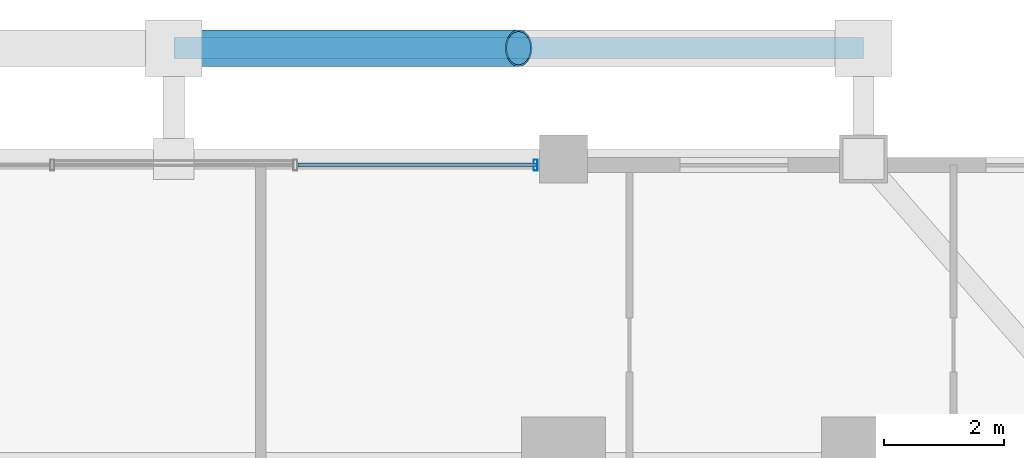
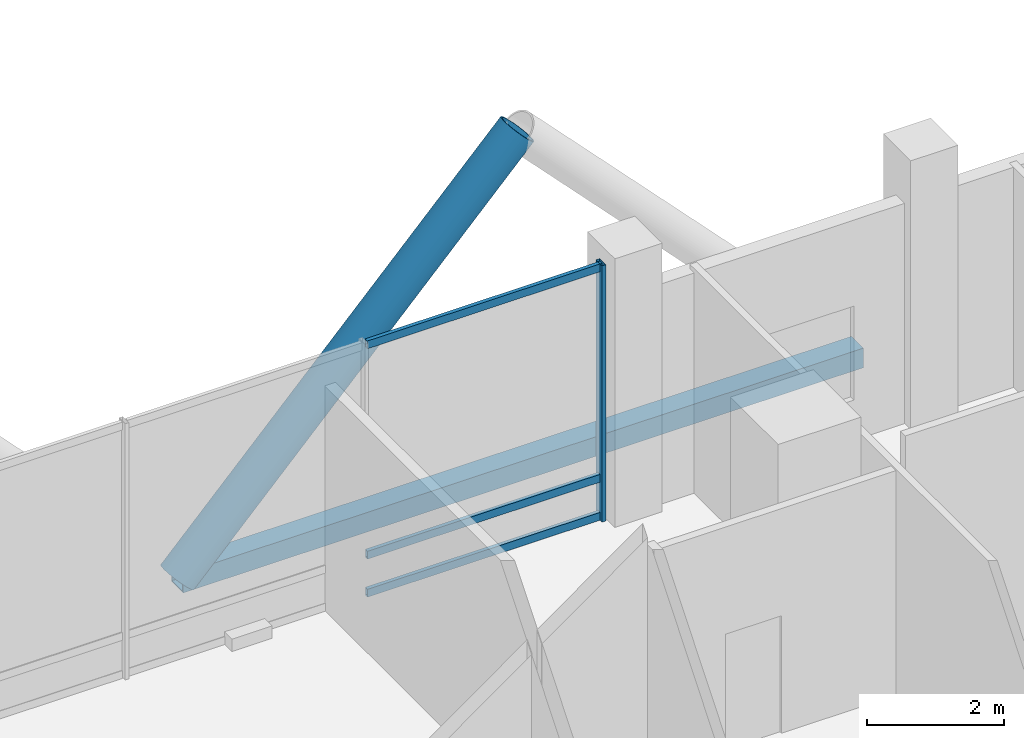
# One storey, part 18 of 33: 6 members, 1 element without a shape of its own.
"""IFC4 building model written with IfcOpenShell, lengths in metres."""

from ifc_helpers import new_model, si_unit, direction, frame, origin, origin_2d, place, context, subcontext, project, spatial, hollow_rectangle, hollow_circle, extrude, material, layer, layer_set, material_profile, profile_set, type_object, element, aggregate, save


model = new_model("IFC4")

# Units and contexts
model_context = context("Model", 3, precision=1e-05, world=origin(), true_north=direction((0.0, 1.0)))
body_context = subcontext(model_context, "Body", "Model", "MODEL_VIEW")
ifc_project = project(units=[si_unit("LENGTHUNIT", "METRE"), si_unit("AREAUNIT", "SQUARE_METRE"), si_unit("VOLUMEUNIT", "CUBIC_METRE"), si_unit("PLANEANGLEUNIT", "RADIAN"), si_unit("MASSUNIT", "GRAM", prefix="KILO")], contexts=[model_context])

# Site, building, storey
site_placement = place(None, origin())
site = spatial("IfcSite", under=ifc_project, at=site_placement, CompositionType="ELEMENT")
building_placement = place(site_placement, origin())
building = spatial("IfcBuilding", under=site, at=building_placement, Name="Barlavira Tower and Art Museum", CompositionType="ELEMENT")
storey_placement = place(building_placement, frame((0.0, 0.0, 27.60009765625)))
storey = spatial("IfcBuildingStorey", under=building, at=storey_placement, Name="L05", CompositionType="ELEMENT", Elevation=27.60009765625)

# Curtain wall, members
ifc_material_1 = material(Name="Low-iron coastal laminated glass", Category="glass")
ifc_layer = layer(ifc_material_1, 0.179931640625, Name="Low-iron coastal laminated glass")
ifc_layer_set = layer_set([ifc_layer], Name="Low-iron coastal laminated glass")
curtain_wall_type = type_object("IfcCurtainWallType", Name="Pale-Metal Unitised Curtain Wall Zone 1", PredefinedType="NOTDEFINED", material=ifc_layer_set)
curtain_wall_placement = place(storey_placement, origin())
curtain_wall = element("IfcCurtainWall", 1, at=curtain_wall_placement, inside=storey, type_object=curtain_wall_type, Name="L05 Curtain Wall CW1-L05-N-B3", PredefinedType="NOTDEFINED")
ifc_material_2 = material(Name="Pale anodised aluminium", Category="aluminium")
ifc_material_profile_1 = material_profile(ifc_material_2, hollow_rectangle(XDim=0.06494140625, YDim=0.179931640625, WallThickness=0.00390625, at=origin_2d()), Name="ALU-MULL 65x180x4")
ifc_profile_set_1 = profile_set([ifc_material_profile_1], Name="Pale anodised aluminium")
member_type_1 = type_object("IfcMemberType", Name="Curtain Wall Pale-Metal Mullion 65x180", PredefinedType="MULLION", material=ifc_profile_set_1)
member_1_placement = place(storey_placement, frame((6.034912109375, 24.89990234375, 0.0), z_axis=(0.0, 0.0, 1.0), x_axis=(-1.0, 0.0, 0.0)))
member_1 = element("IfcMember", 2, at=member_1_placement, type_object=member_type_1, Name="CW1-L05-N-B3 Mullion 0", PredefinedType="MULLION", context=body_context, shape_type="SweptSolid", body=[
    extrude(hollow_rectangle(XDim=0.06494140625, YDim=0.179931640625, WallThickness=0.00390625, at=origin_2d()), origin(), (0.0, 0.0, 1.0), 4.579833984375),
])
ifc_material_profile_2 = material_profile(ifc_material_2, hollow_rectangle(XDim=0.06494140625, YDim=0.139892578125, WallThickness=0.00390625, at=origin_2d()), Name="ALU-TRAN 65x140x4")
ifc_profile_set_2 = profile_set([ifc_material_profile_2], Name="Pale anodised aluminium")
member_type_2 = type_object("IfcMemberType", Name="Curtain Wall Pale-Metal Transom 65x140", PredefinedType="USERDEFINED", material=ifc_profile_set_2)
member_2_placement = place(storey_placement, frame((6.034912109375, 24.89990234375, 0.06982421875), z_axis=(-1.0, 0.0, 0.0), x_axis=(0.0, -1.0, 0.0)))
member_2 = element("IfcMember", 3, at=member_2_placement, type_object=member_type_2, Name="CW1-L05-N-B3 Transom 0.1", ObjectType="TRANSOM", PredefinedType="USERDEFINED", context=body_context, shape_type="SweptSolid", body=[
    extrude(hollow_rectangle(XDim=0.06494140625, YDim=0.139892578125, WallThickness=0.00390625, at=origin_2d()), origin(), (0.0, 0.0, 1.0), 3.963134765625),
])
member_3_placement = place(storey_placement, frame((6.034912109375, 24.89990234375, 0.75), z_axis=(-1.0, 0.0, 0.0), x_axis=(0.0, -1.0, 0.0)))
member_3 = element("IfcMember", 4, at=member_3_placement, type_object=member_type_2, Name="CW1-L05-N-B3 Transom 0.2", ObjectType="TRANSOM", PredefinedType="USERDEFINED", context=body_context, shape_type="SweptSolid", body=[
    extrude(hollow_rectangle(XDim=0.06494140625, YDim=0.139892578125, WallThickness=0.00390625, at=origin_2d()), origin(), (0.0, 0.0, 1.0), 3.963134765625),
])
member_4_placement = place(storey_placement, frame((6.034912109375, 24.89990234375, 4.510009765625), z_axis=(-1.0, 0.0, 0.0), x_axis=(0.0, -1.0, 0.0)))
member_4 = element("IfcMember", 5, at=member_4_placement, type_object=member_type_2, Name="CW1-L05-N-B3 Transom 0.3", ObjectType="TRANSOM", PredefinedType="USERDEFINED", context=body_context, shape_type="SweptSolid", body=[
    extrude(hollow_rectangle(XDim=0.06494140625, YDim=0.139892578125, WallThickness=0.00390625, at=origin_2d()), origin(), (0.0, 0.0, 1.0), 3.963134765625),
])
aggregate(curtain_wall, [member_1, member_2, member_3, member_4])

# Members
ifc_material_3 = material(Name="Steel S355", Category="steel")
ifc_material_profile_3 = material_profile(ifc_material_3, hollow_circle(Radius=0.304931640625, WallThickness=0.028076171875, at=origin_2d()), Name="CHS 610.0x28.0")
ifc_profile_set_3 = profile_set([ifc_material_profile_3], Name="Steel S355")
member_type_3 = type_object("IfcMemberType", Name="Pale-Metal Exoskeleton Diagrid Tube CHS 610x28 Steel S355", PredefinedType="BRACE", material=ifc_profile_set_3)
member_5_placement = place(storey_placement, frame((0.0, 26.85009765625, -0.1201171875), z_axis=(0.691905363236, 0.0, 0.721988205115), x_axis=(0.0, 1.0, 0.0)))
element("IfcMember", 6, at=member_5_placement, inside=storey, type_object=member_type_3, Name="L05 Exoskeleton Diagrid Tube N", PredefinedType="BRACE", context=body_context, shape_type="SweptSolid", body=[
    extrude(hollow_circle(Radius=0.304931640625, WallThickness=0.028076171875, at=origin_2d()), origin(), (0.0, 0.0, 1.0), 8.310302734375),
])
ifc_material_profile_4 = material_profile(ifc_material_3, hollow_rectangle(XDim=0.35009765625, YDim=0.35009765625, WallThickness=0.02001953125, at=origin_2d()), Name="SHS 350x350x20.0")
ifc_profile_set_4 = profile_set([ifc_material_profile_4], Name="Steel S355")
member_type_4 = type_object("IfcMemberType", Name="Pale-Metal Exoskeleton Ring Strut SHS 350x350x20 Steel S355", PredefinedType="STRUT", material=ifc_profile_set_4)
member_6_placement = place(storey_placement, frame((0.0, 26.85009765625, -0.1201171875), z_axis=(1.0, 0.0, 0.0), x_axis=(0.0, 1.0, 0.0)))
element("IfcMember", 7, at=member_6_placement, inside=storey, type_object=member_type_4, Name="L05 Exoskeleton Ring Strut N", PredefinedType="STRUT", context=body_context, shape_type="SweptSolid", body=[
    extrude(hollow_rectangle(XDim=0.35009765625, YDim=0.35009765625, WallThickness=0.02001953125, at=origin_2d()), origin(), (0.0, 0.0, 1.0), 11.5),
])

save(model, "model.ifc")
